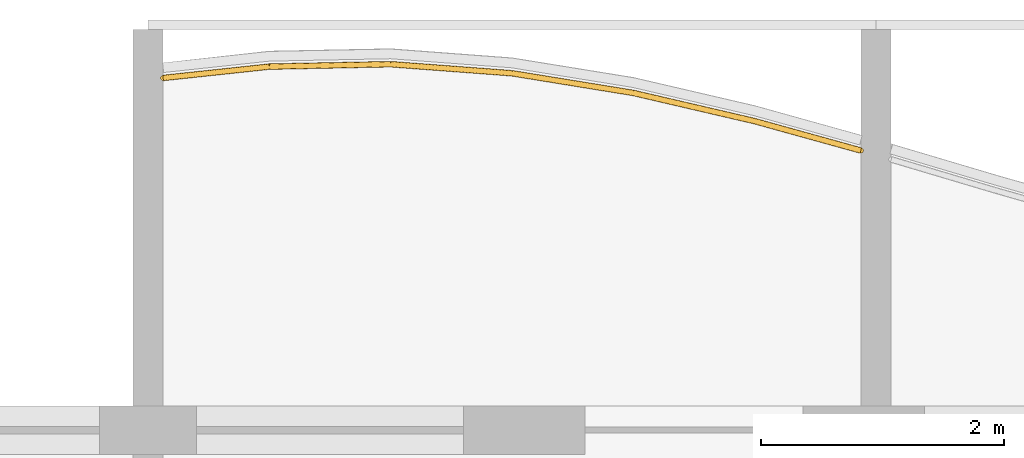
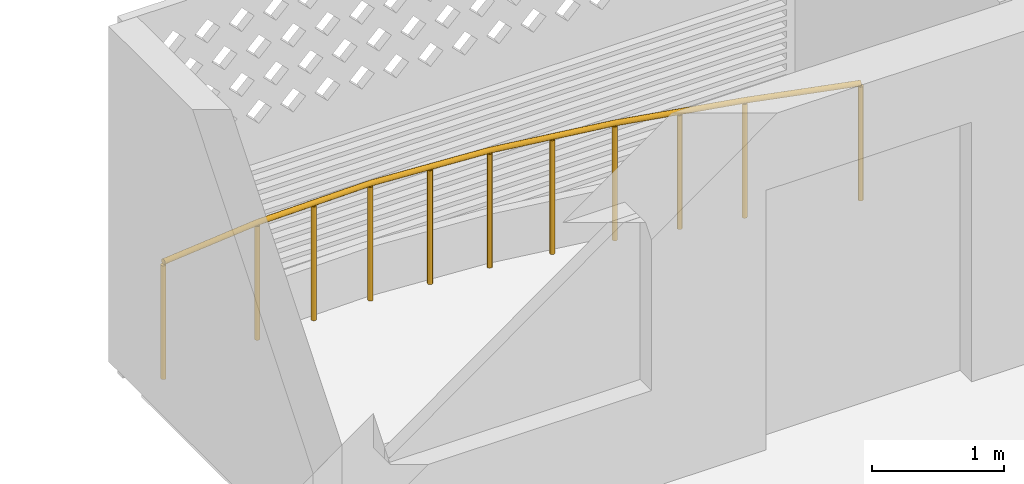
# One storey, part 24 of 27: 1 railing.
"""IFC4 building model written with IfcOpenShell, lengths in metres."""

from ifc_helpers import new_model, si_unit, direction, frame, origin, origin_2d, place, context, subcontext, project, spatial, circle, extrude, material, type_object, element, save


model = new_model("IFC4")

# Units and contexts
model_context = context("Model", 3, precision=1e-05, world=origin(), true_north=direction((0.0, 1.0)))
body_context = subcontext(model_context, "Body", "Model", "MODEL_VIEW")
ifc_project = project(units=[si_unit("LENGTHUNIT", "METRE"), si_unit("AREAUNIT", "SQUARE_METRE"), si_unit("VOLUMEUNIT", "CUBIC_METRE"), si_unit("PLANEANGLEUNIT", "RADIAN"), si_unit("MASSUNIT", "GRAM", prefix="KILO")], contexts=[model_context])

# Site, building, storey
site_placement = place(None, origin())
site = spatial("IfcSite", under=ifc_project, at=site_placement, CompositionType="ELEMENT")
building_placement = place(site_placement, origin())
building = spatial("IfcBuilding", under=site, at=building_placement, Name="Poui Terraces", CompositionType="ELEMENT")
storey_placement = place(building_placement, frame((0.0, 0.0, 198.300048828125)))
storey = spatial("IfcBuildingStorey", under=building, at=storey_placement, Name="L55", CompositionType="ELEMENT", Elevation=198.300048828125)

# Railing
ifc_material = material(Name="Painted steel fretwork", Category="steel")
railing_type = type_object("IfcRailingType", Name="BALCONY GUARD 1100", PredefinedType="GUARDRAIL", material=ifc_material)
railing_placement = place(storey_placement, frame((66.125, 44.102294921875, 0.0)))
element("IfcRailing", 1, at=railing_placement, inside=storey, type_object=railing_type, Name="BALCONY GUARD", PredefinedType="GUARDRAIL", context=body_context, shape_type="SweptSolid", body=[
    extrude(circle(Radius=0.02392578125, at=origin_2d()), frame((0.0, 0.0, 1.076171875), z_axis=(0.99430915392, 0.106533123634, 0.0), x_axis=(-0.106533123634, 0.99430915392, 0.0)), (0.0, 0.0, 1.0), 0.880126953125),
    extrude(circle(Radius=0.02392578125, at=origin_2d()), frame((0.875, 0.09375, 1.076171875), z_axis=(0.999804524294, 0.019771525017, 0.0), x_axis=(-0.019771525017, 0.999804524294, 0.0)), (0.0, 0.0, 1.0), 1.000244140625),
    extrude(circle(Radius=0.02392578125, at=origin_2d()), frame((1.875, 0.113525390625, 1.076171875), z_axis=(0.997221056601, -0.074499424639, 0.0), x_axis=(0.074499424639, 0.997221056601, 0.0)), (0.0, 0.0, 1.0), 1.002685546875),
    extrude(circle(Radius=0.02392578125, at=origin_2d()), frame((2.875, 0.038818359375, 1.076171875), z_axis=(0.987113709708, -0.160020386535, 0.0), x_axis=(0.160020386535, 0.987113709708, 0.0)), (0.0, 0.0, 1.0), 1.012939453125),
    extrude(circle(Radius=0.02392578125, at=origin_2d()), frame((3.875, -0.123291015625, 1.076171875), z_axis=(0.974037301865, -0.226387576019, 0.0), x_axis=(0.226387576019, 0.974037301865, 0.0)), (0.0, 0.0, 1.0), 1.026611328125),
    extrude(circle(Radius=0.02392578125, at=origin_2d()), frame((4.875, -0.355712890625, 1.076171875), z_axis=(0.963764063419, -0.266756124696, 0.0), x_axis=(0.266756124696, 0.963764063419, 0.0)), (0.0, 0.0, 1.0), 0.907958984375),
    extrude(circle(Radius=0.02099609375, at=origin_2d()), origin(), (0.0, 0.0, 1.0), 1.052001953125),
    extrude(circle(Radius=0.02099609375, at=origin_2d()), frame((0.875, 0.09375, 0.0)), (0.0, 0.0, 1.0), 1.052001953125),
    extrude(circle(Radius=0.02099609375, at=origin_2d()), frame((1.375, 0.103515625, 0.0)), (0.0, 0.0, 1.0), 1.052001953125),
    extrude(circle(Radius=0.02099609375, at=origin_2d()), frame((1.875, 0.113525390625, 0.0)), (0.0, 0.0, 1.0), 1.052001953125),
    extrude(circle(Radius=0.02099609375, at=origin_2d()), frame((2.375, 0.076171875, 0.0)), (0.0, 0.0, 1.0), 1.052001953125),
    extrude(circle(Radius=0.02099609375, at=origin_2d()), frame((2.875, 0.038818359375, 0.0)), (0.0, 0.0, 1.0), 1.052001953125),
    extrude(circle(Radius=0.02099609375, at=origin_2d()), frame((3.375, -0.042236328125, 0.0)), (0.0, 0.0, 1.0), 1.052001953125),
    extrude(circle(Radius=0.02099609375, at=origin_2d()), frame((3.875, -0.123291015625, 0.0)), (0.0, 0.0, 1.0), 1.052001953125),
    extrude(circle(Radius=0.02099609375, at=origin_2d()), frame((4.375, -0.239501953125, 0.0)), (0.0, 0.0, 1.0), 1.052001953125),
    extrude(circle(Radius=0.02099609375, at=origin_2d()), frame((4.875, -0.355712890625, 0.0)), (0.0, 0.0, 1.0), 1.052001953125),
    extrude(circle(Radius=0.02099609375, at=origin_2d()), frame((5.75, -0.597900390625, 0.0)), (0.0, 0.0, 1.0), 1.052001953125),
])

save(model, "model.ifc")
